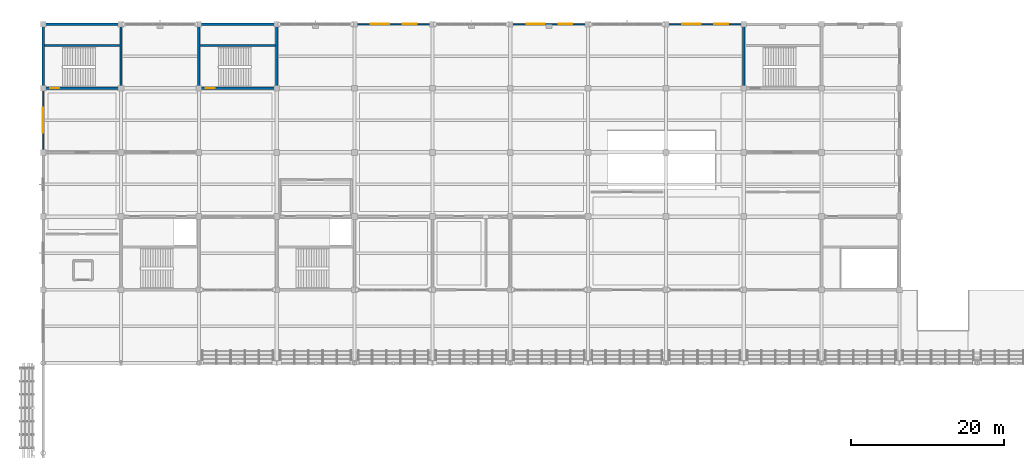
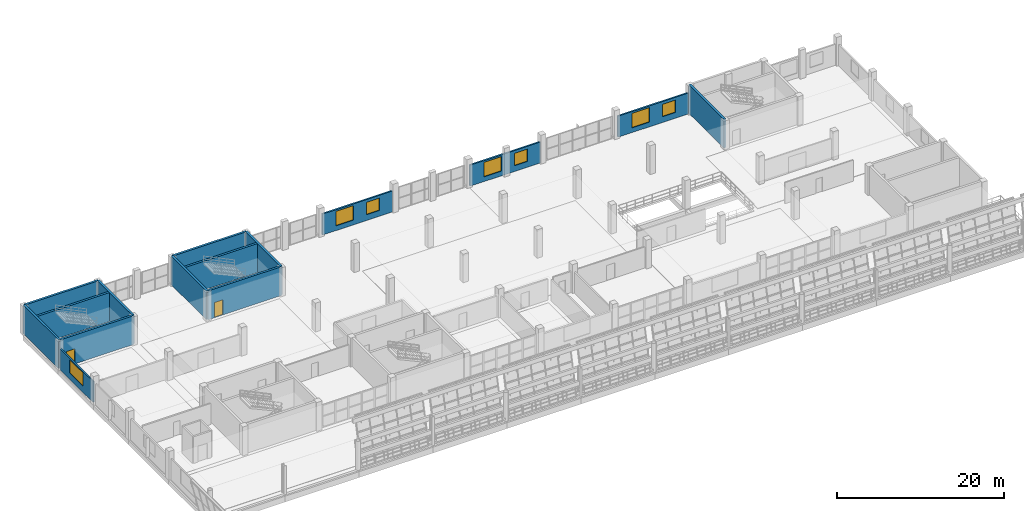
# One storey, part 133 of 157: 15 walls, 7 windows, 2 doors, 9 openings.
"""IFC4 building model written with IfcOpenShell, lengths in metres."""

from ifc_helpers import new_model, si_unit, direction, frame, frame_2d, origin, place, context, subcontext, project, spatial, rectangle, extrude, material, layer, layer_set, type_object, element, fill, save


model = new_model("IFC4")

# Units and contexts
model_context = context("Model", 3, precision=1e-05, world=origin(), true_north=direction((0.0, 1.0)))
body_context = subcontext(model_context, "Body", "Model", "MODEL_VIEW")
ifc_project = project(units=[si_unit("LENGTHUNIT", "METRE"), si_unit("AREAUNIT", "SQUARE_METRE"), si_unit("VOLUMEUNIT", "CUBIC_METRE"), si_unit("PLANEANGLEUNIT", "RADIAN"), si_unit("MASSUNIT", "GRAM", prefix="KILO")], contexts=[model_context])

# Site, building, storey
site_placement = place(None, origin())
site = spatial("IfcSite", under=ifc_project, at=site_placement, CompositionType="ELEMENT")
building_placement = place(site_placement, origin())
building = spatial("IfcBuilding", under=site, at=building_placement, Name="Brelvane Convention Centre", CompositionType="ELEMENT")
storey_placement = place(building_placement, frame((0.0, 0.0, 10.800048828125)))
storey = spatial("IfcBuildingStorey", under=building, at=storey_placement, Name="L02", CompositionType="ELEMENT", Elevation=10.800048828125)

# Wall, openings, windows
ifc_material_1 = material(Name="Insulated Autoclaved Aerated Concrete Block Grade 1", Category="concrete")
ifc_layer_1 = layer(ifc_material_1, 0.219970703125)
ifc_layer_set_1 = layer_set([ifc_layer_1], Name="Insulated Autoclaved Aerated Concrete Block Grade 1")
wall_type_1 = type_object("IfcWallType", Name="Exterior Wall EW-04", PredefinedType="STANDARD", material=ifc_layer_set_1)
wall_1_placement = place(storey_placement, frame((41.0400390625, 144.0, 0.0), z_axis=(0.0, 0.0, 1.0), x_axis=(1.0, 0.0, 0.0)))
wall_1 = element("IfcWall", 1, at=wall_1_placement, inside=storey, type_object=wall_type_1, Name="Exterior Wall L02 V4N-05", PredefinedType="STANDARD", context=body_context, shape_type="SweptSolid", body=[
    extrude(rectangle(XDim=9.719970703125, YDim=0.219970703125, at=frame_2d((4.85986328125, 0.0))), origin(), (0.0, 0.0, 1.0), 3.06005859375),
])
opening_1_placement = place(wall_1_placement, frame((1.909912109375, 0.0, 0.699951171875)))
opening_1 = element("IfcOpeningElement", 2, at=opening_1_placement, cuts=wall_1, Name="Opening WN-01", PredefinedType="OPENING", context=body_context, shape_type="SweptSolid", body=[
    extrude(rectangle(XDim=2.39990234375, YDim=2.10009765625, at=frame_2d((1.199951171875, 1.050048828125))), frame((0.0, 0.119873046875, 0.0), z_axis=(0.0, -1.0, 0.0), x_axis=(1.0, 0.0, 0.0)), (0.0, 0.0, 1.0), 0.239990234375),
])
opening_2_placement = place(wall_1_placement, frame((6.097900390625, 0.0, 0.85009765625)))
opening_2 = element("IfcOpeningElement", 3, at=opening_2_placement, cuts=wall_1, Name="Opening WN-04", PredefinedType="OPENING", context=body_context, shape_type="SweptSolid", body=[
    extrude(rectangle(XDim=1.800048828125, YDim=1.800048828125, at=frame_2d((0.89990234375, 0.89990234375))), frame((0.0, 0.119873046875, 0.0), z_axis=(0.0, -1.0, 0.0), x_axis=(1.0, 0.0, 0.0)), (0.0, 0.0, 1.0), 0.239990234375),
])
ifc_material_2 = material(Name="Double Glazed Low-E Laminated Unit")
window_type_1 = type_object("IfcWindowType", Name="Window WN-01", PartitioningType="DOUBLE_PANEL_VERTICAL", PredefinedType="WINDOW", material=ifc_material_2)
window_1_placement = place(opening_1_placement, origin())
window_1 = element("IfcWindow", 4, at=window_1_placement, inside=storey, type_object=window_type_1, Name="Facade Window L02-V4N-05-031", OverallHeight=2.10009765625, OverallWidth=2.39990234375, PartitioningType="DOUBLE_PANEL_VERTICAL", PredefinedType="WINDOW", context=body_context, shape_type="SweptSolid", body=[
    extrude(rectangle(XDim=2.39990234375, YDim=2.10009765625, at=frame_2d((1.199951171875, 1.050048828125))), frame((0.0, 0.030029296875, 0.0), z_axis=(0.0, -1.0, 0.0), x_axis=(1.0, 0.0, 0.0)), (0.0, 0.0, 1.0), 0.06005859375),
])
fill(opening_1, window_1)
ifc_material_3 = material(Name="Double Glazed Low-E Laminated Unit")
window_type_2 = type_object("IfcWindowType", Name="Window WN-04", PartitioningType="DOUBLE_PANEL_VERTICAL", PredefinedType="WINDOW", material=ifc_material_3)
window_2_placement = place(opening_2_placement, origin())
window_2 = element("IfcWindow", 5, at=window_2_placement, inside=storey, type_object=window_type_2, Name="Facade Window L02-V4N-05-032", OverallHeight=1.800048828125, OverallWidth=1.800048828125, PartitioningType="DOUBLE_PANEL_VERTICAL", PredefinedType="WINDOW", context=body_context, shape_type="SweptSolid", body=[
    extrude(rectangle(XDim=1.800048828125, YDim=1.800048828125, at=frame_2d((0.89990234375, 0.89990234375))), frame((0.0, 0.030029296875, 0.0), z_axis=(0.0, -1.0, 0.0), x_axis=(1.0, 0.0, 0.0)), (0.0, 0.0, 1.0), 0.06005859375),
])
fill(opening_2, window_2)

wall_2_placement = place(storey_placement, frame((61.43994140625, 144.0, 0.0), z_axis=(0.0, 0.0, 1.0), x_axis=(1.0, 0.0, 0.0)))
wall_2 = element("IfcWall", 6, at=wall_2_placement, inside=storey, type_object=wall_type_1, Name="Exterior Wall L02 V4N-07", PredefinedType="STANDARD", context=body_context, shape_type="SweptSolid", body=[
    extrude(rectangle(XDim=9.719970703125, YDim=0.219970703125, at=frame_2d((4.85986328125, 0.0))), origin(), (0.0, 0.0, 1.0), 3.06005859375),
])
opening_3_placement = place(wall_2_placement, frame((1.909912109375, 0.0, 0.699951171875)))
opening_3 = element("IfcOpeningElement", 7, at=opening_3_placement, cuts=wall_2, Name="Opening WN-01", PredefinedType="OPENING", context=body_context, shape_type="SweptSolid", body=[
    extrude(rectangle(XDim=2.39990234375, YDim=2.10009765625, at=frame_2d((1.199951171875, 1.050048828125))), frame((0.0, 0.119873046875, 0.0), z_axis=(0.0, -1.0, 0.0), x_axis=(1.0, 0.0, 0.0)), (0.0, 0.0, 1.0), 0.239990234375),
])
opening_4_placement = place(wall_2_placement, frame((6.097900390625, 0.0, 0.85009765625)))
opening_4 = element("IfcOpeningElement", 8, at=opening_4_placement, cuts=wall_2, Name="Opening WN-04", PredefinedType="OPENING", context=body_context, shape_type="SweptSolid", body=[
    extrude(rectangle(XDim=1.800048828125, YDim=1.800048828125, at=frame_2d((0.89990234375, 0.89990234375))), frame((0.0, 0.119873046875, 0.0), z_axis=(0.0, -1.0, 0.0), x_axis=(1.0, 0.0, 0.0)), (0.0, 0.0, 1.0), 0.239990234375),
])
window_3_placement = place(opening_3_placement, origin())
window_3 = element("IfcWindow", 9, at=window_3_placement, inside=storey, type_object=window_type_1, Name="Facade Window L02-V4N-07-034", OverallHeight=2.10009765625, OverallWidth=2.39990234375, PartitioningType="DOUBLE_PANEL_VERTICAL", PredefinedType="WINDOW", context=body_context, shape_type="SweptSolid", body=[
    extrude(rectangle(XDim=2.39990234375, YDim=2.10009765625, at=frame_2d((1.199951171875, 1.050048828125))), frame((0.0, 0.030029296875, 0.0), z_axis=(0.0, -1.0, 0.0), x_axis=(1.0, 0.0, 0.0)), (0.0, 0.0, 1.0), 0.06005859375),
])
fill(opening_3, window_3)
window_4_placement = place(opening_4_placement, origin())
window_4 = element("IfcWindow", 10, at=window_4_placement, inside=storey, type_object=window_type_2, Name="Facade Window L02-V4N-07-035", OverallHeight=1.800048828125, OverallWidth=1.800048828125, PartitioningType="DOUBLE_PANEL_VERTICAL", PredefinedType="WINDOW", context=body_context, shape_type="SweptSolid", body=[
    extrude(rectangle(XDim=1.800048828125, YDim=1.800048828125, at=frame_2d((0.89990234375, 0.89990234375))), frame((0.0, 0.030029296875, 0.0), z_axis=(0.0, -1.0, 0.0), x_axis=(1.0, 0.0, 0.0)), (0.0, 0.0, 1.0), 0.06005859375),
])
fill(opening_4, window_4)

wall_3_placement = place(storey_placement, frame((81.840087890625, 144.0, 0.0), z_axis=(0.0, 0.0, 1.0), x_axis=(1.0, 0.0, 0.0)))
wall_3 = element("IfcWall", 11, at=wall_3_placement, inside=storey, type_object=wall_type_1, Name="Exterior Wall L02 V4N-09", PredefinedType="STANDARD", context=body_context, shape_type="SweptSolid", body=[
    extrude(rectangle(XDim=9.719970703125, YDim=0.219970703125, at=frame_2d((4.85986328125, 0.0))), origin(), (0.0, 0.0, 1.0), 3.06005859375),
])
opening_5_placement = place(wall_3_placement, frame((1.909912109375, 0.0, 0.699951171875)))
opening_5 = element("IfcOpeningElement", 12, at=opening_5_placement, cuts=wall_3, Name="Opening WN-01", PredefinedType="OPENING", context=body_context, shape_type="SweptSolid", body=[
    extrude(rectangle(XDim=2.39990234375, YDim=2.10009765625, at=frame_2d((1.199951171875, 1.050048828125))), frame((0.0, 0.119873046875, 0.0), z_axis=(0.0, -1.0, 0.0), x_axis=(1.0, 0.0, 0.0)), (0.0, 0.0, 1.0), 0.239990234375),
])
opening_6_placement = place(wall_3_placement, frame((6.097900390625, 0.0, 0.85009765625)))
opening_6 = element("IfcOpeningElement", 13, at=opening_6_placement, cuts=wall_3, Name="Opening WN-04", PredefinedType="OPENING", context=body_context, shape_type="SweptSolid", body=[
    extrude(rectangle(XDim=1.800048828125, YDim=1.800048828125, at=frame_2d((0.89990234375, 0.89990234375))), frame((0.0, 0.119873046875, 0.0), z_axis=(0.0, -1.0, 0.0), x_axis=(1.0, 0.0, 0.0)), (0.0, 0.0, 1.0), 0.239990234375),
])
window_5_placement = place(opening_5_placement, origin())
window_5 = element("IfcWindow", 14, at=window_5_placement, inside=storey, type_object=window_type_1, Name="Facade Window L02-V4N-09-037", OverallHeight=2.10009765625, OverallWidth=2.39990234375, PartitioningType="DOUBLE_PANEL_VERTICAL", PredefinedType="WINDOW", context=body_context, shape_type="SweptSolid", body=[
    extrude(rectangle(XDim=2.39990234375, YDim=2.10009765625, at=frame_2d((1.199951171875, 1.050048828125))), frame((0.0, 0.030029296875, 0.0), z_axis=(0.0, -1.0, 0.0), x_axis=(1.0, 0.0, 0.0)), (0.0, 0.0, 1.0), 0.06005859375),
])
fill(opening_5, window_5)
window_6_placement = place(opening_6_placement, origin())
window_6 = element("IfcWindow", 15, at=window_6_placement, inside=storey, type_object=window_type_2, Name="Facade Window L02-V4N-09-038", OverallHeight=1.800048828125, OverallWidth=1.800048828125, PartitioningType="DOUBLE_PANEL_VERTICAL", PredefinedType="WINDOW", context=body_context, shape_type="SweptSolid", body=[
    extrude(rectangle(XDim=1.800048828125, YDim=1.800048828125, at=frame_2d((0.89990234375, 0.89990234375))), frame((0.0, 0.030029296875, 0.0), z_axis=(0.0, -1.0, 0.0), x_axis=(1.0, 0.0, 0.0)), (0.0, 0.0, 1.0), 0.06005859375),
])
fill(opening_6, window_6)

# Wall, opening, window
ifc_material_4 = material(Name="Insulated Autoclaved Aerated Concrete Block Grade 1", Category="concrete")
ifc_layer_2 = layer(ifc_material_4, 0.18994140625)
ifc_layer_set_2 = layer_set([ifc_layer_2], Name="Insulated Autoclaved Aerated Concrete Block Grade 1")
wall_type_2 = type_object("IfcWallType", Name="Exterior Wall EW-06", PredefinedType="STANDARD", material=ifc_layer_set_2)
wall_4_placement = place(storey_placement, frame((0.0, 127.43994140625, 0.0), z_axis=(0.0, 0.0, 1.0), x_axis=(0.0, 1.0, 0.0)))
wall_4 = element("IfcWall", 16, at=wall_4_placement, inside=storey, type_object=wall_type_2, Name="Exterior Wall L02 V4W-L02-127", PredefinedType="STANDARD", context=body_context, shape_type="SweptSolid", body=[
    extrude(rectangle(XDim=7.920166015625, YDim=0.18994140625, at=frame_2d((3.9599609375, 0.0))), origin(), (0.0, 0.0, 1.0), 3.06005859375),
])
opening_7_placement = place(wall_4_placement, frame((2.31005859375, 0.0, 0.89990234375)))
opening_7 = element("IfcOpeningElement", 17, at=opening_7_placement, cuts=wall_4, Name="Opening WN-09", PredefinedType="OPENING", context=body_context, shape_type="SweptSolid", body=[
    extrude(rectangle(XDim=3.300048828125, YDim=1.949951171875, at=frame_2d((1.64990234375, 0.97509765625))), frame((0.0, 0.10498046875, 0.0), z_axis=(0.0, -1.0, 0.0), x_axis=(1.0, 0.0, 0.0)), (0.0, 0.0, 1.0), 0.2099609375),
])
ifc_material_5 = material(Name="Double Glazed Low-E Laminated Unit")
window_type_3 = type_object("IfcWindowType", Name="Window WN-09", PartitioningType="TRIPLE_PANEL_VERTICAL", PredefinedType="WINDOW", material=ifc_material_5)
window_7_placement = place(opening_7_placement, origin())
window_7 = element("IfcWindow", 18, at=window_7_placement, inside=storey, type_object=window_type_3, Name="Facade Window L02-V4W-L02-127-075", OverallHeight=1.949951171875, OverallWidth=3.300048828125, PartitioningType="TRIPLE_PANEL_VERTICAL", PredefinedType="WINDOW", context=body_context, shape_type="SweptSolid", body=[
    extrude(rectangle(XDim=3.300048828125, YDim=1.949951171875, at=frame_2d((1.64990234375, 0.97509765625))), frame((0.0, 0.030029296875, 0.0), z_axis=(0.0, -1.0, 0.0), x_axis=(1.0, 0.0, 0.0)), (0.0, 0.0, 1.0), 0.06005859375),
])
fill(opening_7, window_7)

# Wall
ifc_material_6 = material(Name="Concrete M50", Category="concrete")
ifc_layer_3 = layer(ifc_material_6, 0.300048828125)
ifc_layer_set_3 = layer_set([ifc_layer_3], Name="Concrete M50")
wall_type_3 = type_object("IfcWallType", Name="Structural Wall WL-CORE-300", PredefinedType="SHEAR", material=ifc_layer_set_3)
wall_5_placement = place(storey_placement, frame((91.800048828125, 135.60009765625, 0.0), z_axis=(0.0, 0.0, 1.0), x_axis=(0.0, 1.0, 0.0)))
element("IfcWall", 19, at=wall_5_placement, inside=storey, type_object=wall_type_3, Name="Stair Core ST-12 Wall W (L02)", PredefinedType="SHEAR", context=body_context, shape_type="SweptSolid", body=[
    extrude(rectangle(XDim=8.39990234375, YDim=0.300048828125, at=frame_2d((4.199951171875, 0.0))), origin(), (0.0, 0.0, 1.0), 4.199951171875),
])

# Wall, opening, door
wall_6_placement = place(storey_placement, frame((20.39990234375, 135.60009765625, 0.0), z_axis=(0.0, 0.0, 1.0), x_axis=(1.0, 0.0, 0.0)))
wall_6 = element("IfcWall", 20, at=wall_6_placement, inside=storey, type_object=wall_type_3, Name="Stair Core ST-13 Wall S (L02)", PredefinedType="SHEAR", context=body_context, shape_type="SweptSolid", body=[
    extrude(rectangle(XDim=10.2001953125, YDim=0.300048828125, at=frame_2d((5.10009765625, 0.0))), origin(), (0.0, 0.0, 1.0), 4.199951171875),
])
opening_8_placement = place(wall_6_placement, frame((0.919921875, 0.0, 0.0)))
opening_8 = element("IfcOpeningElement", 21, at=opening_8_placement, cuts=wall_6, Name="Opening DR-IN-04L", PredefinedType="OPENING", context=body_context, shape_type="SweptSolid", body=[
    extrude(rectangle(XDim=1.159912109375, YDim=2.199951171875, at=frame_2d((0.580078125, 1.10009765625))), frame((0.0, 0.159912109375, 0.0), z_axis=(0.0, -1.0, 0.0), x_axis=(1.0, 0.0, 0.0)), (0.0, 0.0, 1.0), 0.320068359375),
])
ifc_material_7 = material(Name="Galvanised Hollow-Metal Fire Door Steel E250", Category="steel")
door_type = type_object("IfcDoorType", Name="Interior Door DR-IN-04L", OperationType="NOTDEFINED", PredefinedType="DOOR", material=ifc_material_7)
door_1_placement = place(opening_8_placement, origin())
door_1 = element("IfcDoor", 22, at=door_1_placement, inside=storey, type_object=door_type, Name="Stair ST-13 Entry Door (L02)", OperationType="SINGLE_SWING_LEFT", OverallHeight=2.199951171875, OverallWidth=1.159912109375, PredefinedType="DOOR", context=body_context, shape_type="SweptSolid", body=[
    extrude(rectangle(XDim=1.159912109375, YDim=2.199951171875, at=frame_2d((0.580078125, 1.10009765625))), frame((0.0, 0.02490234375, 0.0), z_axis=(0.0, -1.0, 0.0), x_axis=(1.0, 0.0, 0.0)), (0.0, 0.0, 1.0), 0.050048828125),
])
fill(opening_8, door_1)

# Walls
wall_7_placement = place(storey_placement, frame((20.39990234375, 144.0, 0.0), z_axis=(0.0, 0.0, 1.0), x_axis=(1.0, 0.0, 0.0)))
element("IfcWall", 23, at=wall_7_placement, inside=storey, type_object=wall_type_3, Name="Stair Core ST-13 Wall N (L02)", PredefinedType="SHEAR", context=body_context, shape_type="SweptSolid", body=[
    extrude(rectangle(XDim=10.2001953125, YDim=0.300048828125, at=frame_2d((5.10009765625, 0.0))), origin(), (0.0, 0.0, 1.0), 4.199951171875),
])
for number, where, z_axis, x_axis, name in (
    (24, (20.39990234375, 135.60009765625, 0.0), (0.0, 0.0, 1.0), (0.0, 1.0, 0.0), "Stair Core ST-13 Wall W (L02)"),
    (25, (30.60009765625, 135.60009765625, 0.0), (0.0, 0.0, 1.0), (0.0, 1.0, 0.0), "Stair Core ST-13 Wall E (L02)"),
):
    element("IfcWall", number, at=place(storey_placement, frame(where, z_axis=z_axis, x_axis=x_axis)), inside=storey, type_object=wall_type_3, Name=name, PredefinedType="SHEAR", context=body_context, shape_type="SweptSolid", body=[
        extrude(rectangle(XDim=8.39990234375, YDim=0.300048828125, at=frame_2d((4.199951171875, 0.0))), origin(), (0.0, 0.0, 1.0), 4.199951171875),
    ])
wall_8_placement = place(storey_placement, frame((20.550048828125, 141.199951171875, 0.0), z_axis=(0.0, 0.0, 1.0), x_axis=(1.0, 0.0, 0.0)))
element("IfcWall", 26, at=wall_8_placement, inside=storey, type_object=wall_type_3, Name="Stair Core ST-13 Well Wall (L02)", PredefinedType="SHEAR", context=body_context, shape_type="SweptSolid", body=[
    extrude(rectangle(XDim=9.89990234375, YDim=0.300048828125, at=frame_2d((4.949951171875, 0.0))), origin(), (0.0, 0.0, 1.0), 4.199951171875),
])

# Wall, opening, door
wall_9_placement = place(storey_placement, frame((0.0, 135.60009765625, 0.0), z_axis=(0.0, 0.0, 1.0), x_axis=(1.0, 0.0, 0.0)))
wall_9 = element("IfcWall", 27, at=wall_9_placement, inside=storey, type_object=wall_type_3, Name="Stair Core ST-17 Wall S (L02)", PredefinedType="SHEAR", context=body_context, shape_type="SweptSolid", body=[
    extrude(rectangle(XDim=10.199951171875, YDim=0.300048828125, at=frame_2d((5.10009765625, 0.0))), origin(), (0.0, 0.0, 1.0), 4.199951171875),
])
opening_9_placement = place(wall_9_placement, frame((0.919921875, 0.0, 0.0)))
opening_9 = element("IfcOpeningElement", 28, at=opening_9_placement, cuts=wall_9, Name="Opening DR-IN-04L", PredefinedType="OPENING", context=body_context, shape_type="SweptSolid", body=[
    extrude(rectangle(XDim=1.159912109375, YDim=2.199951171875, at=frame_2d((0.580078125, 1.10009765625))), frame((0.0, 0.159912109375, 0.0), z_axis=(0.0, -1.0, 0.0), x_axis=(1.0, 0.0, 0.0)), (0.0, 0.0, 1.0), 0.320068359375),
])
door_2_placement = place(opening_9_placement, origin())
door_2 = element("IfcDoor", 29, at=door_2_placement, inside=storey, type_object=door_type, Name="Stair ST-17 Entry Door (L02)", OperationType="SINGLE_SWING_LEFT", OverallHeight=2.199951171875, OverallWidth=1.159912109375, PredefinedType="DOOR", context=body_context, shape_type="SweptSolid", body=[
    extrude(rectangle(XDim=1.159912109375, YDim=2.199951171875, at=frame_2d((0.580078125, 1.10009765625))), frame((0.0, 0.02490234375, 0.0), z_axis=(0.0, -1.0, 0.0), x_axis=(1.0, 0.0, 0.0)), (0.0, 0.0, 1.0), 0.050048828125),
])
fill(opening_9, door_2)

# Walls
wall_10_placement = place(storey_placement, frame((0.0, 144.0, 0.0), z_axis=(0.0, 0.0, 1.0), x_axis=(1.0, 0.0, 0.0)))
element("IfcWall", 30, at=wall_10_placement, inside=storey, type_object=wall_type_3, Name="Stair Core ST-17 Wall N (L02)", PredefinedType="SHEAR", context=body_context, shape_type="SweptSolid", body=[
    extrude(rectangle(XDim=10.199951171875, YDim=0.300048828125, at=frame_2d((5.10009765625, 0.0))), origin(), (0.0, 0.0, 1.0), 4.199951171875),
])
for number, where, z_axis, x_axis, name in (
    (31, (0.0, 135.60009765625, 0.0), (0.0, 0.0, 1.0), (0.0, 1.0, 0.0), "Stair Core ST-17 Wall W (L02)"),
    (32, (10.199951171875, 135.60009765625, 0.0), (0.0, 0.0, 1.0), (0.0, 1.0, 0.0), "Stair Core ST-17 Wall E (L02)"),
):
    element("IfcWall", number, at=place(storey_placement, frame(where, z_axis=z_axis, x_axis=x_axis)), inside=storey, type_object=wall_type_3, Name=name, PredefinedType="SHEAR", context=body_context, shape_type="SweptSolid", body=[
        extrude(rectangle(XDim=8.39990234375, YDim=0.300048828125, at=frame_2d((4.199951171875, 0.0))), origin(), (0.0, 0.0, 1.0), 4.199951171875),
    ])
wall_11_placement = place(storey_placement, frame((0.14990234375, 141.199951171875, 0.0), z_axis=(0.0, 0.0, 1.0), x_axis=(1.0, 0.0, 0.0)))
element("IfcWall", 33, at=wall_11_placement, inside=storey, type_object=wall_type_3, Name="Stair Core ST-17 Well Wall (L02)", PredefinedType="SHEAR", context=body_context, shape_type="SweptSolid", body=[
    extrude(rectangle(XDim=9.900146484375, YDim=0.300048828125, at=frame_2d((4.9501953125, 0.0))), origin(), (0.0, 0.0, 1.0), 4.199951171875),
])

save(model, "model.ifc")
